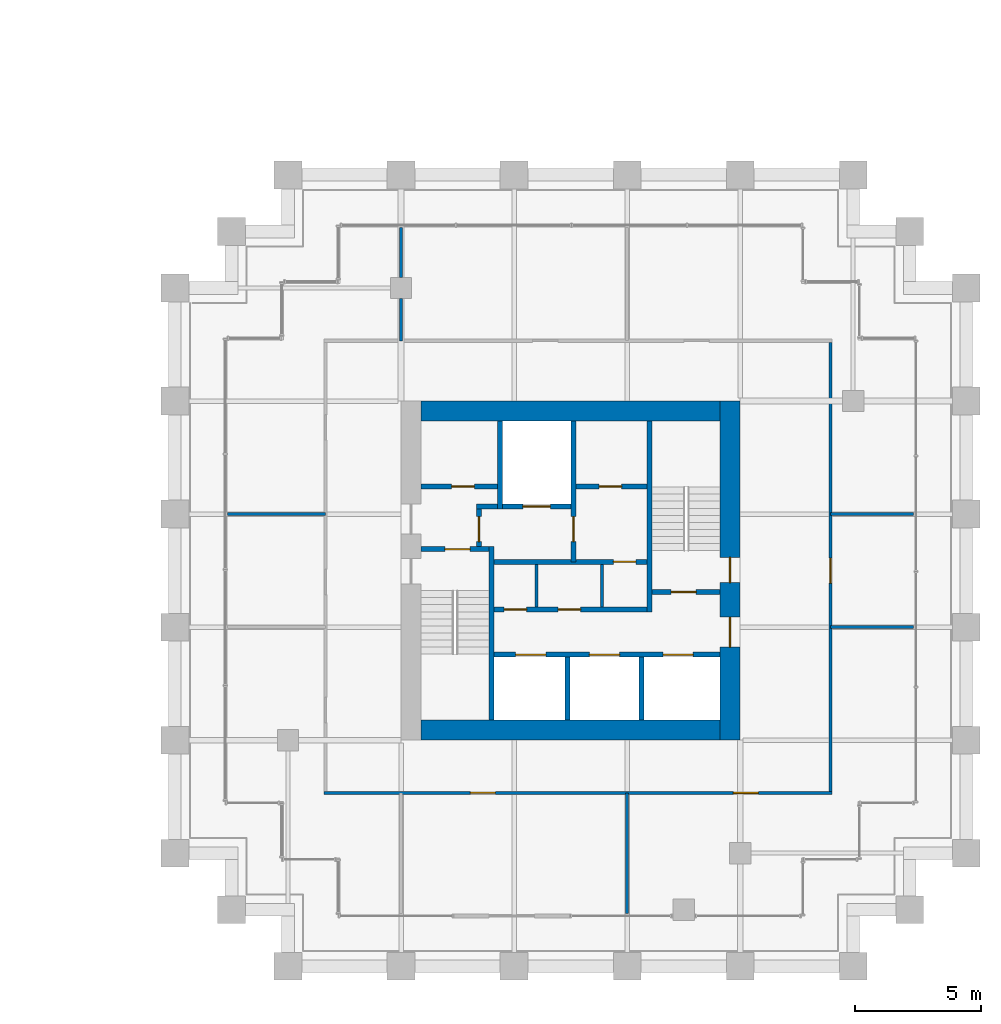
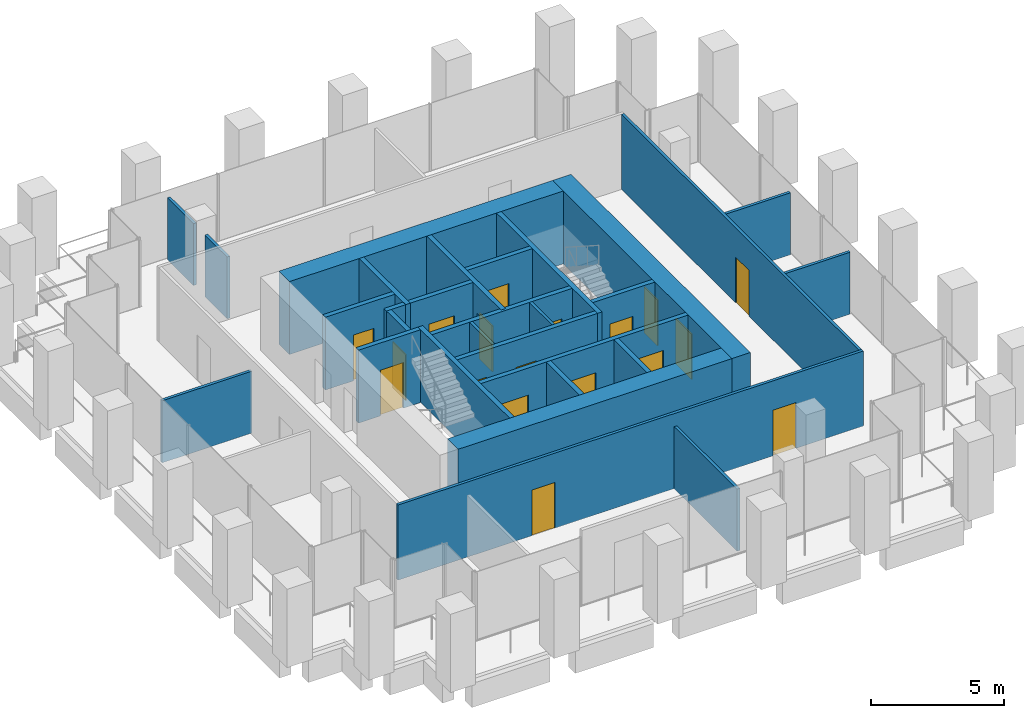
# One storey, part 53 of 56: 29 walls, 18 doors, 18 openings.
"""IFC4 building model written with IfcOpenShell, lengths in metres."""

from ifc_helpers import new_model, si_unit, direction, frame, frame_2d, origin, place, context, subcontext, project, spatial, rectangle, extrude, material, layer, layer_set, type_object, element, fill, save


model = new_model("IFC4")

# Units and contexts
model_context = context("Model", 3, precision=1e-05, world=origin(), true_north=direction((0.0, 1.0)))
body_context = subcontext(model_context, "Body", "Model", "MODEL_VIEW")
ifc_project = project(units=[si_unit("LENGTHUNIT", "METRE"), si_unit("AREAUNIT", "SQUARE_METRE"), si_unit("VOLUMEUNIT", "CUBIC_METRE"), si_unit("PLANEANGLEUNIT", "RADIAN"), si_unit("MASSUNIT", "GRAM", prefix="KILO")], contexts=[model_context])

# Site, building, storey
site_placement = place(None, origin())
site = spatial("IfcSite", under=ifc_project, at=site_placement, CompositionType="ELEMENT")
building_placement = place(site_placement, origin())
building = spatial("IfcBuilding", under=site, at=building_placement, Name="Altepetl Exchange Towers", CompositionType="ELEMENT")
storey_placement = place(building_placement, frame((0.0, 0.0, 72.60009765625)))
storey = spatial("IfcBuildingStorey", under=building, at=storey_placement, Name="L17", CompositionType="ELEMENT", Elevation=72.60009765625)

# Wall, openings, doors
ifc_material_1 = material(Name="Concrete C70/85", Category="concrete")
ifc_layer_1 = layer(ifc_material_1, 0.800048828125)
ifc_layer_set_1 = layer_set([ifc_layer_1], Name="Concrete C70/85")
wall_type_1 = type_object("IfcWallType", Name="Core wall 800 reinforced concrete", PredefinedType="SHEAR", material=ifc_layer_set_1)
wall_1_placement = place(storey_placement, frame((116.60009765625, 36.0, 0.0), z_axis=(0.0, 0.0, 1.0), x_axis=(0.0, 1.0, 0.0)))
wall_1 = element("IfcWall", 1, at=wall_1_placement, inside=storey, type_object=wall_type_1, Name="wall:B:L17:K-coreE", PredefinedType="SHEAR", context=body_context, shape_type="SweptSolid", body=[
    extrude(rectangle(XDim=13.5, YDim=0.800048828125, at=frame_2d((6.75, 0.0))), origin(), (0.0, 0.0, 1.0), 3.349853515625),
])
opening_1_placement = place(wall_1_placement, frame((3.699951171875, 0.0, 0.0)))
opening_1 = element("IfcOpeningElement", 2, at=opening_1_placement, cuts=wall_1, Name="Opening L17.B61", PredefinedType="OPENING", context=body_context, shape_type="SweptSolid", body=[
    extrude(rectangle(XDim=1.199951171875, YDim=2.10009765625, at=frame_2d((0.60009765625, 1.050048828125))), frame((0.0, 0.41015625, 0.0), z_axis=(0.0, -1.0, 0.0), x_axis=(1.0, 0.0, 0.0)), (0.0, 0.0, 1.0), 0.820068359375),
])
opening_2_placement = place(wall_1_placement, frame((6.27490234375, 0.0, 0.0)))
opening_2 = element("IfcOpeningElement", 3, at=opening_2_placement, cuts=wall_1, Name="Opening L17.B65", PredefinedType="OPENING", context=body_context, shape_type="SweptSolid", body=[
    extrude(rectangle(XDim=1.0, YDim=2.10009765625, at=frame_2d((0.5, 1.050048828125))), frame((0.0, 0.41015625, 0.0), z_axis=(0.0, -1.0, 0.0), x_axis=(1.0, 0.0, 0.0)), (0.0, 0.0, 1.0), 0.820068359375),
])
ifc_material_2 = material(Name="Steel and timber fire door", Category="steel")
door_type_1 = type_object("IfcDoorType", Name="Fire door 1000 x 2100 stair and lobby", OperationType="SINGLE_SWING_LEFT", PredefinedType="DOOR", material=ifc_material_2)
door_1_placement = place(opening_2_placement, origin())
door_1 = element("IfcDoor", 4, at=door_1_placement, inside=storey, type_object=door_type_1, Name="door:B:L17:K-dS2x", OperationType="SINGLE_SWING_LEFT", OverallHeight=2.10009765625, OverallWidth=1.0, PredefinedType="DOOR", context=body_context, shape_type="SweptSolid", body=[
    extrude(rectangle(XDim=1.0, YDim=2.10009765625, at=frame_2d((0.5, 1.050048828125))), frame((0.0, 0.02490234375, 0.0), z_axis=(0.0, -1.0, 0.0), x_axis=(1.0, 0.0, 0.0)), (0.0, 0.0, 1.0), 0.050048828125),
])
fill(opening_2, door_1)
door_type_2 = type_object("IfcDoorType", Name="Fire door 1200 x 2100 lobby entry", OperationType="SINGLE_SWING_LEFT", PredefinedType="DOOR", material=ifc_material_2)
door_2_placement = place(opening_1_placement, origin())
door_2 = element("IfcDoor", 5, at=door_2_placement, inside=storey, type_object=door_type_2, Name="door:B:L17:K-dLSE", OperationType="SINGLE_SWING_RIGHT", OverallHeight=2.10009765625, OverallWidth=1.199951171875, PredefinedType="DOOR", context=body_context, shape_type="SweptSolid", body=[
    extrude(rectangle(XDim=1.199951171875, YDim=2.10009765625, at=frame_2d((0.60009765625, 1.050048828125))), frame((0.0, 0.02490234375, 0.0), z_axis=(0.0, -1.0, 0.0), x_axis=(1.0, 0.0, 0.0)), (0.0, 0.0, 1.0), 0.050048828125),
])
fill(opening_1, door_2)

# Walls
for number, where, name in (
    (6, (104.300048828125, 49.10009765625, 0.0), "wall:B:L17:K-coreN"),
    (7, (104.300048828125, 36.39990234375, 0.0), "wall:B:L17:K-coreS"),
):
    element("IfcWall", number, at=place(storey_placement, frame(where)), inside=storey, type_object=wall_type_1, Name=name, PredefinedType="SHEAR", context=body_context, shape_type="SweptSolid", body=[
        extrude(rectangle(XDim=11.89990234375, YDim=0.800048828125, at=frame_2d((5.949951171875, 0.0))), origin(), (0.0, 0.0, 1.0), 3.349853515625),
    ])
ifc_material_3 = material(Name="Concrete blockwork", Category="masonry")
ifc_layer_2 = layer(ifc_material_3, 0.199951171875)
ifc_layer_set_2 = layer_set([ifc_layer_2], Name="Concrete blockwork")
wall_type_2 = type_object("IfcWallType", Name="Lobby wall 200 blockwork", PredefinedType="PARTITIONING", material=ifc_layer_set_2)
wall_2_placement = place(storey_placement, frame((106.5, 45.300048828125, 0.0)))
element("IfcWall", 8, at=wall_2_placement, inside=storey, type_object=wall_type_2, Name="wall:B:L17:K-ffNw", PredefinedType="PARTITIONING", context=body_context, shape_type="SweptSolid", body=[
    extrude(rectangle(XDim=0.833251953125, YDim=0.199951171875, at=frame_2d((0.41650390625, 0.0))), origin(), (0.0, 0.0, 1.0), 3.349853515625),
])

# Wall, opening, door
wall_3_placement = place(storey_placement, frame((106.60009765625, 43.699951171875, 0.0), z_axis=(0.0, 0.0, 1.0), x_axis=(0.0, 1.0, 0.0)))
wall_3 = element("IfcWall", 9, at=wall_3_placement, inside=storey, type_object=wall_type_2, Name="wall:B:L17:K-ffW", PredefinedType="PARTITIONING", context=body_context, shape_type="SweptSolid", body=[
    extrude(rectangle(XDim=1.5, YDim=0.199951171875, at=frame_2d((0.75, 0.0))), origin(), (0.0, 0.0, 1.0), 3.349853515625),
])
opening_3_placement = place(wall_3_placement, frame((0.199951171875, 0.0, 0.0)))
opening_3 = element("IfcOpeningElement", 10, at=opening_3_placement, cuts=wall_3, Name="Opening L17.B67", PredefinedType="OPENING", context=body_context, shape_type="SweptSolid", body=[
    extrude(rectangle(XDim=1.0, YDim=2.10009765625, at=frame_2d((0.5, 1.050048828125))), frame((0.0, 0.10986328125, 0.0), z_axis=(0.0, -1.0, 0.0), x_axis=(1.0, 0.0, 0.0)), (0.0, 0.0, 1.0), 0.219970703125),
])
door_3_placement = place(opening_3_placement, frame((1.0, 0.0, 0.0), x_axis=(-1.0, 0.0, 0.0)))
door_3 = element("IfcDoor", 11, at=door_3_placement, inside=storey, type_object=door_type_1, Name="door:B:L17:K-dffW", OperationType="SINGLE_SWING_LEFT", OverallHeight=2.10009765625, OverallWidth=1.0, PredefinedType="DOOR", context=body_context, shape_type="SweptSolid", body=[
    extrude(rectangle(XDim=1.0, YDim=2.10009765625, at=frame_2d((0.5, 1.050048828125))), frame((0.0, 0.02490234375, 0.0), z_axis=(0.0, -1.0, 0.0), x_axis=(1.0, 0.0, 0.0)), (0.0, 0.0, 1.0), 0.050048828125),
])
fill(opening_3, door_3)

wall_4_placement = place(storey_placement, frame((107.199951171875, 43.10009765625, 0.0)))
wall_4 = element("IfcWall", 12, at=wall_4_placement, inside=storey, type_object=wall_type_2, Name="wall:B:L17:K-zoneN", PredefinedType="PARTITIONING", context=body_context, shape_type="SweptSolid", body=[
    extrude(rectangle(XDim=6.10009765625, YDim=0.199951171875, at=frame_2d((3.050048828125, 0.0))), origin(), (0.0, 0.0, 1.0), 3.349853515625),
])
opening_4_placement = place(wall_4_placement, frame((4.75, 0.0, 0.0)))
opening_4 = element("IfcOpeningElement", 13, at=opening_4_placement, cuts=wall_4, Name="Opening L17.B72", PredefinedType="OPENING", context=body_context, shape_type="SweptSolid", body=[
    extrude(rectangle(XDim=0.89990234375, YDim=2.10009765625, at=frame_2d((0.449951171875, 1.050048828125))), frame((0.0, 0.10986328125, 0.0), z_axis=(0.0, -1.0, 0.0), x_axis=(1.0, 0.0, 0.0)), (0.0, 0.0, 1.0), 0.219970703125),
])
door_type_3 = type_object("IfcDoorType", Name="Fire door 900 x 2100 service room", OperationType="SINGLE_SWING_LEFT", PredefinedType="DOOR", material=ifc_material_2)
door_4_placement = place(opening_4_placement, frame((0.89990234375, 0.0, 0.0), x_axis=(-1.0, 0.0, 0.0)))
door_4 = element("IfcDoor", 14, at=door_4_placement, inside=storey, type_object=door_type_3, Name="door:B:L17:K-dz3", OperationType="SINGLE_SWING_RIGHT", OverallHeight=2.10009765625, OverallWidth=0.89990234375, PredefinedType="DOOR", context=body_context, shape_type="SweptSolid", body=[
    extrude(rectangle(XDim=0.89990234375, YDim=2.10009765625, at=frame_2d((0.449951171875, 1.050048828125))), frame((0.0, 0.02490234375, 0.0), z_axis=(0.0, -1.0, 0.0), x_axis=(1.0, 0.0, 0.0)), (0.0, 0.0, 1.0), 0.050048828125),
])
fill(opening_4, door_4)

# Wall, openings, doors
wall_5_placement = place(storey_placement, frame((107.199951171875, 41.199951171875, 0.0)))
wall_5 = element("IfcWall", 15, at=wall_5_placement, inside=storey, type_object=wall_type_2, Name="wall:B:L17:K-zoneS", PredefinedType="PARTITIONING", context=body_context, shape_type="SweptSolid", body=[
    extrude(rectangle(XDim=6.10009765625, YDim=0.199951171875, at=frame_2d((3.050048828125, 0.0))), origin(), (0.0, 0.0, 1.0), 3.349853515625),
])
opening_5_placement = place(wall_5_placement, frame((0.39990234375, 0.0, 0.0)))
opening_5 = element("IfcOpeningElement", 16, at=opening_5_placement, cuts=wall_5, Name="Opening L17.B70", PredefinedType="OPENING", context=body_context, shape_type="SweptSolid", body=[
    extrude(rectangle(XDim=0.89990234375, YDim=2.10009765625, at=frame_2d((0.449951171875, 1.050048828125))), frame((0.0, 0.10986328125, 0.0), z_axis=(0.0, -1.0, 0.0), x_axis=(1.0, 0.0, 0.0)), (0.0, 0.0, 1.0), 0.219970703125),
])
opening_6_placement = place(wall_5_placement, frame((2.550048828125, 0.0, 0.0)))
opening_6 = element("IfcOpeningElement", 17, at=opening_6_placement, cuts=wall_5, Name="Opening L17.B71", PredefinedType="OPENING", context=body_context, shape_type="SweptSolid", body=[
    extrude(rectangle(XDim=0.89990234375, YDim=2.10009765625, at=frame_2d((0.449951171875, 1.050048828125))), frame((0.0, 0.10986328125, 0.0), z_axis=(0.0, -1.0, 0.0), x_axis=(1.0, 0.0, 0.0)), (0.0, 0.0, 1.0), 0.219970703125),
])
door_5_placement = place(opening_5_placement, origin())
door_5 = element("IfcDoor", 18, at=door_5_placement, inside=storey, type_object=door_type_3, Name="door:B:L17:K-dz1", OperationType="SINGLE_SWING_RIGHT", OverallHeight=2.10009765625, OverallWidth=0.89990234375, PredefinedType="DOOR", context=body_context, shape_type="SweptSolid", body=[
    extrude(rectangle(XDim=0.89990234375, YDim=2.10009765625, at=frame_2d((0.449951171875, 1.050048828125))), frame((0.0, 0.02490234375, 0.0), z_axis=(0.0, -1.0, 0.0), x_axis=(1.0, 0.0, 0.0)), (0.0, 0.0, 1.0), 0.050048828125),
])
fill(opening_5, door_5)
door_6_placement = place(opening_6_placement, origin())
door_6 = element("IfcDoor", 19, at=door_6_placement, inside=storey, type_object=door_type_3, Name="door:B:L17:K-dz2", OperationType="SINGLE_SWING_LEFT", OverallHeight=2.10009765625, OverallWidth=0.89990234375, PredefinedType="DOOR", context=body_context, shape_type="SweptSolid", body=[
    extrude(rectangle(XDim=0.89990234375, YDim=2.10009765625, at=frame_2d((0.449951171875, 1.050048828125))), frame((0.0, 0.02490234375, 0.0), z_axis=(0.0, -1.0, 0.0), x_axis=(1.0, 0.0, 0.0)), (0.0, 0.0, 1.0), 0.050048828125),
])
fill(opening_6, door_6)

# Walls
ifc_material_4 = material(Name="Gypsum board on steel studs", Category="steel")
ifc_layer_3 = layer(ifc_material_4, 0.125)
ifc_layer_set_3 = layer_set([ifc_layer_3], Name="Gypsum board on steel studs")
wall_type_3 = type_object("IfcWallType", Name="Partition 125 gypsum board on steel studs", PredefinedType="PARTITIONING", material=ifc_layer_set_3)
for number, where, z_axis, x_axis, name in (
    (20, (108.89990234375, 41.300048828125, 0.0), (0.0, 0.0, 1.0), (0.0, 1.0, 0.0), "wall:B:L17:K-zp1"),
    (21, (111.5, 41.300048828125, 0.0), (0.0, 0.0, 1.0), (0.0, 1.0, 0.0), "wall:B:L17:K-zp2"),
):
    element("IfcWall", number, at=place(storey_placement, frame(where, z_axis=z_axis, x_axis=x_axis)), inside=storey, type_object=wall_type_3, Name=name, PredefinedType="PARTITIONING", context=body_context, shape_type="SweptSolid", body=[
        extrude(rectangle(XDim=1.699951171875, YDim=0.125, at=frame_2d((0.85009765625, 0.0))), origin(), (0.0, 0.0, 1.0), 3.349853515625),
    ])

# Wall, openings, doors
wall_6_placement = place(storey_placement, frame((100.4375, 33.89990234375, 0.0)))
wall_6 = element("IfcWall", 22, at=wall_6_placement, inside=storey, type_object=wall_type_3, Name="wall:B:L17:P01", PredefinedType="PARTITIONING", context=body_context, shape_type="SweptSolid", body=[
    extrude(rectangle(XDim=20.22509765625, YDim=0.125, at=frame_2d((10.112548828125, 0.0))), origin(), (0.0, 0.0, 1.0), 3.449951171875),
])
opening_7_placement = place(wall_6_placement, frame((5.819580078125, 0.0, 0.0)))
opening_7 = element("IfcOpeningElement", 23, at=opening_7_placement, cuts=wall_6, Name="Opening L17.B02", PredefinedType="OPENING", context=body_context, shape_type="SweptSolid", body=[
    extrude(rectangle(XDim=1.0, YDim=2.10009765625, at=frame_2d((0.5, 1.050048828125))), frame((0.0, 0.072509765625, 0.0), z_axis=(0.0, -1.0, 0.0), x_axis=(1.0, 0.0, 0.0)), (0.0, 0.0, 1.0), 0.14501953125),
])
opening_8_placement = place(wall_6_placement, frame((16.29248046875, 0.0, 0.0)))
opening_8 = element("IfcOpeningElement", 24, at=opening_8_placement, cuts=wall_6, Name="Opening L17.B03", PredefinedType="OPENING", context=body_context, shape_type="SweptSolid", body=[
    extrude(rectangle(XDim=1.0, YDim=2.10009765625, at=frame_2d((0.5, 1.050048828125))), frame((0.0, 0.072509765625, 0.0), z_axis=(0.0, -1.0, 0.0), x_axis=(1.0, 0.0, 0.0)), (0.0, 0.0, 1.0), 0.14501953125),
])
door_type_4 = type_object("IfcDoorType", Name="Fire door 1000 x 2100 single leaf", OperationType="SINGLE_SWING_LEFT", PredefinedType="DOOR", material=ifc_material_2)
door_7_placement = place(opening_7_placement, frame((1.0, 0.0, 0.0), x_axis=(-1.0, 0.0, 0.0)))
door_7 = element("IfcDoor", 25, at=door_7_placement, inside=storey, type_object=door_type_4, Name="door:B:L17:02", OperationType="SINGLE_SWING_RIGHT", OverallHeight=2.10009765625, OverallWidth=1.0, PredefinedType="DOOR", context=body_context, shape_type="SweptSolid", body=[
    extrude(rectangle(XDim=1.0, YDim=2.10009765625, at=frame_2d((0.5, 1.050048828125))), frame((0.0, 0.02490234375, 0.0), z_axis=(0.0, -1.0, 0.0), x_axis=(1.0, 0.0, 0.0)), (0.0, 0.0, 1.0), 0.050048828125),
])
fill(opening_7, door_7)
door_8_placement = place(opening_8_placement, origin())
door_8 = element("IfcDoor", 26, at=door_8_placement, inside=storey, type_object=door_type_4, Name="door:B:L17:03", OperationType="SINGLE_SWING_RIGHT", OverallHeight=2.10009765625, OverallWidth=1.0, PredefinedType="DOOR", context=body_context, shape_type="SweptSolid", body=[
    extrude(rectangle(XDim=1.0, YDim=2.10009765625, at=frame_2d((0.5, 1.050048828125))), frame((0.0, 0.02490234375, 0.0), z_axis=(0.0, -1.0, 0.0), x_axis=(1.0, 0.0, 0.0)), (0.0, 0.0, 1.0), 0.050048828125),
])
fill(opening_8, door_8)

# Walls
wall_7_placement = place(storey_placement, frame((120.60009765625, 40.5, 0.0)))
element("IfcWall", 27, at=wall_7_placement, inside=storey, type_object=wall_type_3, Name="wall:B:L17:P03", PredefinedType="PARTITIONING", context=body_context, shape_type="SweptSolid", body=[
    extrude(rectangle(XDim=3.2998046875, YDim=0.125, at=frame_2d((1.64990234375, 0.0))), origin(), (0.0, 0.0, 1.0), 2.850830078125),
])
wall_8_placement = place(storey_placement, frame((96.60009765625, 45.0, 0.0)))
element("IfcWall", 28, at=wall_8_placement, inside=storey, type_object=wall_type_3, Name="wall:B:L17:P04", PredefinedType="PARTITIONING", context=body_context, shape_type="SweptSolid", body=[
    extrude(rectangle(XDim=3.89990234375, YDim=0.125, at=frame_2d((1.949951171875, 0.0))), origin(), (0.0, 0.0, 1.0), 2.850830078125),
])
wall_9_placement = place(storey_placement, frame((120.60009765625, 45.0, 0.0)))
element("IfcWall", 29, at=wall_9_placement, inside=storey, type_object=wall_type_3, Name="wall:B:L17:P05", PredefinedType="PARTITIONING", context=body_context, shape_type="SweptSolid", body=[
    extrude(rectangle(XDim=3.2998046875, YDim=0.125, at=frame_2d((1.64990234375, 0.0))), origin(), (0.0, 0.0, 1.0), 2.850830078125),
])
wall_10_placement = place(storey_placement, frame((103.5, 51.89990234375, 0.0), z_axis=(0.0, 0.0, 1.0), x_axis=(0.0, 1.0, 0.0)))
element("IfcWall", 30, at=wall_10_placement, inside=storey, type_object=wall_type_3, Name="wall:B:L17:P09", PredefinedType="PARTITIONING", context=body_context, shape_type="SweptSolid", body=[
    extrude(rectangle(XDim=1.675048828125, YDim=0.125, at=frame_2d((0.83740234375, 0.0))), origin(), (0.0, 0.0, 1.0), 2.841796875),
])
wall_11_placement = place(storey_placement, frame((103.5, 54.425048828125, 0.0), z_axis=(0.0, 0.0, 1.0), x_axis=(0.0, 1.0, 0.0)))
element("IfcWall", 31, at=wall_11_placement, inside=storey, type_object=wall_type_3, Name="wall:B:L17:P10", PredefinedType="PARTITIONING", context=body_context, shape_type="SweptSolid", body=[
    extrude(rectangle(XDim=1.974853515625, YDim=0.125, at=frame_2d((0.9873046875, 0.0))), origin(), (0.0, 0.0, 1.0), 2.841796875),
])
wall_12_placement = place(storey_placement, frame((112.5, 29.10009765625, 0.0), z_axis=(0.0, 0.0, 1.0), x_axis=(0.0, 1.0, 0.0)))
element("IfcWall", 32, at=wall_12_placement, inside=storey, type_object=wall_type_3, Name="wall:B:L17:P11", PredefinedType="PARTITIONING", context=body_context, shape_type="SweptSolid", body=[
    extrude(rectangle(XDim=4.7998046875, YDim=0.125, at=frame_2d((2.39990234375, 0.0))), origin(), (0.0, 0.0, 1.0), 2.850830078125),
])

# Wall, opening, door
wall_13_placement = place(storey_placement, frame((120.60009765625, 33.96240234375, 0.0), z_axis=(0.0, 0.0, 1.0), x_axis=(0.0, 1.0, 0.0)))
wall_13 = element("IfcWall", 33, at=wall_13_placement, inside=storey, type_object=wall_type_3, Name="wall:B:L17:P13", PredefinedType="PARTITIONING", context=body_context, shape_type="SweptSolid", body=[
    extrude(rectangle(XDim=17.875, YDim=0.125, at=frame_2d((8.9375, 0.0))), origin(), (0.0, 0.0, 1.0), 3.449951171875),
])
opening_9_placement = place(wall_13_placement, frame((8.28759765625, 0.0, 0.0)))
opening_9 = element("IfcOpeningElement", 34, at=opening_9_placement, cuts=wall_13, Name="Opening L17.B04", PredefinedType="OPENING", context=body_context, shape_type="SweptSolid", body=[
    extrude(rectangle(XDim=1.0, YDim=2.10009765625, at=frame_2d((0.5, 1.050048828125))), frame((0.0, 0.072509765625, 0.0), z_axis=(0.0, -1.0, 0.0), x_axis=(1.0, 0.0, 0.0)), (0.0, 0.0, 1.0), 0.14501953125),
])
door_9_placement = place(opening_9_placement, frame((1.0, 0.0, 0.0), x_axis=(-1.0, 0.0, 0.0)))
door_9 = element("IfcDoor", 35, at=door_9_placement, inside=storey, type_object=door_type_4, Name="door:B:L17:04", OperationType="SINGLE_SWING_RIGHT", OverallHeight=2.10009765625, OverallWidth=1.0, PredefinedType="DOOR", context=body_context, shape_type="SweptSolid", body=[
    extrude(rectangle(XDim=1.0, YDim=2.10009765625, at=frame_2d((0.5, 1.050048828125))), frame((0.0, 0.02490234375, 0.0), z_axis=(0.0, -1.0, 0.0), x_axis=(1.0, 0.0, 0.0)), (0.0, 0.0, 1.0), 0.050048828125),
])
fill(opening_9, door_9)

# Wall
ifc_material_5 = material(Name="Concrete C40/50", Category="concrete")
ifc_layer_4 = layer(ifc_material_5, 0.199951171875)
ifc_layer_set_4 = layer_set([ifc_layer_4], Name="Concrete C40/50")
wall_type_4 = type_object("IfcWallType", Name="Shaft wall 200 reinforced concrete", PredefinedType="SHEAR", material=ifc_layer_set_4)
wall_14_placement = place(storey_placement, frame((107.433349609375, 48.699951171875, 0.0), z_axis=(0.0, 0.0, 1.0), x_axis=(0.0, -1.0, 0.0)))
element("IfcWall", 36, at=wall_14_placement, inside=storey, type_object=wall_type_4, Name="wall:B:L17:K-divN1", PredefinedType="SHEAR", context=body_context, shape_type="SweptSolid", body=[
    extrude(rectangle(XDim=3.5, YDim=0.199951171875, at=frame_2d((1.75, 0.0))), origin(), (0.0, 0.0, 1.0), 3.349853515625),
])

# Wall, opening, door
wall_15_placement = place(storey_placement, frame((110.36669921875, 48.699951171875, 0.0), z_axis=(0.0, 0.0, 1.0), x_axis=(0.0, -1.0, 0.0)))
wall_15 = element("IfcWall", 37, at=wall_15_placement, inside=storey, type_object=wall_type_4, Name="wall:B:L17:K-divN2", PredefinedType="SHEAR", context=body_context, shape_type="SweptSolid", body=[
    extrude(rectangle(XDim=5.599853515625, YDim=0.199951171875, at=frame_2d((2.7998046875, 0.0))), origin(), (0.0, 0.0, 1.0), 3.349853515625),
])
opening_10_placement = place(wall_15_placement, frame((3.800048828125, 0.0, 0.0)))
opening_10 = element("IfcOpeningElement", 38, at=opening_10_placement, cuts=wall_15, Name="Opening L17.B66", PredefinedType="OPENING", context=body_context, shape_type="SweptSolid", body=[
    extrude(rectangle(XDim=1.0, YDim=2.10009765625, at=frame_2d((0.5, 1.050048828125))), frame((0.0, 0.10986328125, 0.0), z_axis=(0.0, -1.0, 0.0), x_axis=(1.0, 0.0, 0.0)), (0.0, 0.0, 1.0), 0.219970703125),
])
door_10_placement = place(opening_10_placement, frame((1.0, 0.0, 0.0), x_axis=(-1.0, 0.0, 0.0)))
door_10 = element("IfcDoor", 39, at=door_10_placement, inside=storey, type_object=door_type_1, Name="door:B:L17:K-dffE", OperationType="SINGLE_SWING_RIGHT", OverallHeight=2.10009765625, OverallWidth=1.0, PredefinedType="DOOR", context=body_context, shape_type="SweptSolid", body=[
    extrude(rectangle(XDim=1.0, YDim=2.10009765625, at=frame_2d((0.5, 1.050048828125))), frame((0.0, 0.02490234375, 0.0), z_axis=(0.0, -1.0, 0.0), x_axis=(1.0, 0.0, 0.0)), (0.0, 0.0, 1.0), 0.050048828125),
])
fill(opening_10, door_10)

# Walls
for number, where, z_axis, x_axis, name in (
    (40, (110.13330078125, 36.800048828125, 0.0), (0.0, 0.0, 1.0), (0.0, 1.0, 0.0), "wall:B:L17:K-divS1"),
    (41, (113.066650390625, 36.800048828125, 0.0), (0.0, 0.0, 1.0), (0.0, 1.0, 0.0), "wall:B:L17:K-divS2"),
):
    element("IfcWall", number, at=place(storey_placement, frame(where, z_axis=z_axis, x_axis=x_axis)), inside=storey, type_object=wall_type_4, Name=name, PredefinedType="SHEAR", context=body_context, shape_type="SweptSolid", body=[
        extrude(rectangle(XDim=2.5, YDim=0.199951171875, at=frame_2d((1.25, 0.0))), origin(), (0.0, 0.0, 1.0), 3.349853515625),
    ])

# Wall, opening, door
wall_16_placement = place(storey_placement, frame((104.300048828125, 46.10009765625, 0.0)))
wall_16 = element("IfcWall", 42, at=wall_16_placement, inside=storey, type_object=wall_type_4, Name="wall:B:L17:K-frontNa", PredefinedType="SHEAR", context=body_context, shape_type="SweptSolid", body=[
    extrude(rectangle(XDim=3.033203125, YDim=0.199951171875, at=frame_2d((1.5166015625, 0.0))), origin(), (0.0, 0.0, 1.0), 3.349853515625),
])
opening_11_placement = place(wall_16_placement, frame((1.216796875, 0.0, 0.0)))
opening_11 = element("IfcOpeningElement", 43, at=opening_11_placement, cuts=wall_16, Name="Opening L17.B68", PredefinedType="OPENING", context=body_context, shape_type="SweptSolid", body=[
    extrude(rectangle(XDim=0.89990234375, YDim=2.10009765625, at=frame_2d((0.449951171875, 1.050048828125))), frame((0.0, 0.10986328125, 0.0), z_axis=(0.0, -1.0, 0.0), x_axis=(1.0, 0.0, 0.0)), (0.0, 0.0, 1.0), 0.219970703125),
])
door_11_placement = place(opening_11_placement, origin())
door_11 = element("IfcDoor", 44, at=door_11_placement, inside=storey, type_object=door_type_3, Name="door:B:L17:K-dslotN0", OperationType="SINGLE_SWING_RIGHT", OverallHeight=2.10009765625, OverallWidth=0.89990234375, PredefinedType="DOOR", context=body_context, shape_type="SweptSolid", body=[
    extrude(rectangle(XDim=0.89990234375, YDim=2.10009765625, at=frame_2d((0.449951171875, 1.050048828125))), frame((0.0, 0.02490234375, 0.0), z_axis=(0.0, -1.0, 0.0), x_axis=(1.0, 0.0, 0.0)), (0.0, 0.0, 1.0), 0.050048828125),
])
fill(opening_11, door_11)

wall_17_placement = place(storey_placement, frame((110.466796875, 46.10009765625, 0.0)))
wall_17 = element("IfcWall", 45, at=wall_17_placement, inside=storey, type_object=wall_type_4, Name="wall:B:L17:K-frontNb", PredefinedType="SHEAR", context=body_context, shape_type="SweptSolid", body=[
    extrude(rectangle(XDim=2.833251953125, YDim=0.199951171875, at=frame_2d((1.41650390625, 0.0))), origin(), (0.0, 0.0, 1.0), 3.349853515625),
])
opening_12_placement = place(wall_17_placement, frame((0.91650390625, 0.0, 0.0)))
opening_12 = element("IfcOpeningElement", 46, at=opening_12_placement, cuts=wall_17, Name="Opening L17.B69", PredefinedType="OPENING", context=body_context, shape_type="SweptSolid", body=[
    extrude(rectangle(XDim=0.89990234375, YDim=2.10009765625, at=frame_2d((0.449951171875, 1.050048828125))), frame((0.0, 0.10986328125, 0.0), z_axis=(0.0, -1.0, 0.0), x_axis=(1.0, 0.0, 0.0)), (0.0, 0.0, 1.0), 0.219970703125),
])
door_12_placement = place(opening_12_placement, origin())
door_12 = element("IfcDoor", 47, at=door_12_placement, inside=storey, type_object=door_type_3, Name="door:B:L17:K-dslotN2", OperationType="SINGLE_SWING_RIGHT", OverallHeight=2.10009765625, OverallWidth=0.89990234375, PredefinedType="DOOR", context=body_context, shape_type="SweptSolid", body=[
    extrude(rectangle(XDim=0.89990234375, YDim=2.10009765625, at=frame_2d((0.449951171875, 1.050048828125))), frame((0.0, 0.02490234375, 0.0), z_axis=(0.0, -1.0, 0.0), x_axis=(1.0, 0.0, 0.0)), (0.0, 0.0, 1.0), 0.050048828125),
])
fill(opening_12, door_12)

wall_18_placement = place(storey_placement, frame((107.533203125, 45.300048828125, 0.0)))
wall_18 = element("IfcWall", 48, at=wall_18_placement, inside=storey, type_object=wall_type_4, Name="wall:B:L17:K-frontNd", PredefinedType="SHEAR", context=body_context, shape_type="SweptSolid", body=[
    extrude(rectangle(XDim=2.7333984375, YDim=0.199951171875, at=frame_2d((1.36669921875, 0.0))), origin(), (0.0, 0.0, 1.0), 3.349853515625),
])
opening_13_placement = place(wall_18_placement, frame((0.816650390625, 0.0, 0.0)))
opening_13 = element("IfcOpeningElement", 49, at=opening_13_placement, cuts=wall_18, Name="Opening L17.B73", PredefinedType="OPENING", context=body_context, shape_type="SweptSolid", body=[
    extrude(rectangle(XDim=1.10009765625, YDim=2.10009765625, at=frame_2d((0.550048828125, 1.050048828125))), frame((0.0, 0.10986328125, 0.0), z_axis=(0.0, -1.0, 0.0), x_axis=(1.0, 0.0, 0.0)), (0.0, 0.0, 1.0), 0.219970703125),
])
ifc_material_6 = material(Name="Stainless steel", Category="steel")
door_type_5 = type_object("IfcDoorType", Name="Lift landing door 1100 x 2100", OperationType="SLIDING_TO_LEFT", PredefinedType="DOOR", material=ifc_material_6)
door_13_placement = place(opening_13_placement, origin())
door_13 = element("IfcDoor", 50, at=door_13_placement, inside=storey, type_object=door_type_5, Name="Landing door FFL1", OperationType="SLIDING_TO_LEFT", OverallHeight=2.10009765625, OverallWidth=1.10009765625, PredefinedType="DOOR", context=body_context, shape_type="SweptSolid", body=[
    extrude(rectangle(XDim=1.10009765625, YDim=2.10009765625, at=frame_2d((0.550048828125, 1.050048828125))), frame((0.0, 0.02490234375, 0.0), z_axis=(0.0, -1.0, 0.0), x_axis=(1.0, 0.0, 0.0)), (0.0, 0.0, 1.0), 0.050048828125),
])
fill(opening_13, door_13)

# Wall, openings, doors
wall_19_placement = place(storey_placement, frame((107.199951171875, 39.39990234375, 0.0)))
wall_19 = element("IfcWall", 51, at=wall_19_placement, inside=storey, type_object=wall_type_4, Name="wall:B:L17:K-frontS", PredefinedType="SHEAR", context=body_context, shape_type="SweptSolid", body=[
    extrude(rectangle(XDim=9.0, YDim=0.199951171875, at=frame_2d((4.5, 0.0))), origin(), (0.0, 0.0, 1.0), 3.349853515625),
])
opening_14_placement = place(wall_19_placement, frame((0.86669921875, 0.0, 0.0)))
opening_14 = element("IfcOpeningElement", 52, at=opening_14_placement, cuts=wall_19, Name="Opening L17.B74", PredefinedType="OPENING", context=body_context, shape_type="SweptSolid", body=[
    extrude(rectangle(XDim=1.199951171875, YDim=2.10009765625, at=frame_2d((0.60009765625, 1.050048828125))), frame((0.0, 0.10986328125, 0.0), z_axis=(0.0, -1.0, 0.0), x_axis=(1.0, 0.0, 0.0)), (0.0, 0.0, 1.0), 0.219970703125),
])
opening_15_placement = place(wall_19_placement, frame((3.800048828125, 0.0, 0.0)))
opening_15 = element("IfcOpeningElement", 53, at=opening_15_placement, cuts=wall_19, Name="Opening L17.B75", PredefinedType="OPENING", context=body_context, shape_type="SweptSolid", body=[
    extrude(rectangle(XDim=1.199951171875, YDim=2.10009765625, at=frame_2d((0.60009765625, 1.050048828125))), frame((0.0, 0.10986328125, 0.0), z_axis=(0.0, -1.0, 0.0), x_axis=(1.0, 0.0, 0.0)), (0.0, 0.0, 1.0), 0.219970703125),
])
opening_16_placement = place(wall_19_placement, frame((6.7333984375, 0.0, 0.0)))
opening_16 = element("IfcOpeningElement", 54, at=opening_16_placement, cuts=wall_19, Name="Opening L17.B76", PredefinedType="OPENING", context=body_context, shape_type="SweptSolid", body=[
    extrude(rectangle(XDim=1.199951171875, YDim=2.10009765625, at=frame_2d((0.60009765625, 1.050048828125))), frame((0.0, 0.10986328125, 0.0), z_axis=(0.0, -1.0, 0.0), x_axis=(1.0, 0.0, 0.0)), (0.0, 0.0, 1.0), 0.219970703125),
])
door_type_6 = type_object("IfcDoorType", Name="Lift landing door 1200 x 2100", OperationType="SLIDING_TO_LEFT", PredefinedType="DOOR", material=ifc_material_6)
door_14_placement = place(opening_14_placement, origin())
door_14 = element("IfcDoor", 55, at=door_14_placement, inside=storey, type_object=door_type_6, Name="Landing door P1", OperationType="SLIDING_TO_LEFT", OverallHeight=2.10009765625, OverallWidth=1.199951171875, PredefinedType="DOOR", context=body_context, shape_type="SweptSolid", body=[
    extrude(rectangle(XDim=1.199951171875, YDim=2.10009765625, at=frame_2d((0.60009765625, 1.050048828125))), frame((0.0, 0.02490234375, 0.0), z_axis=(0.0, -1.0, 0.0), x_axis=(1.0, 0.0, 0.0)), (0.0, 0.0, 1.0), 0.050048828125),
])
fill(opening_14, door_14)
door_15_placement = place(opening_15_placement, origin())
door_15 = element("IfcDoor", 56, at=door_15_placement, inside=storey, type_object=door_type_6, Name="Landing door P2", OperationType="SLIDING_TO_LEFT", OverallHeight=2.10009765625, OverallWidth=1.199951171875, PredefinedType="DOOR", context=body_context, shape_type="SweptSolid", body=[
    extrude(rectangle(XDim=1.199951171875, YDim=2.10009765625, at=frame_2d((0.60009765625, 1.050048828125))), frame((0.0, 0.02490234375, 0.0), z_axis=(0.0, -1.0, 0.0), x_axis=(1.0, 0.0, 0.0)), (0.0, 0.0, 1.0), 0.050048828125),
])
fill(opening_15, door_15)
door_16_placement = place(opening_16_placement, origin())
door_16 = element("IfcDoor", 57, at=door_16_placement, inside=storey, type_object=door_type_6, Name="Landing door P3", OperationType="SLIDING_TO_LEFT", OverallHeight=2.10009765625, OverallWidth=1.199951171875, PredefinedType="DOOR", context=body_context, shape_type="SweptSolid", body=[
    extrude(rectangle(XDim=1.199951171875, YDim=2.10009765625, at=frame_2d((0.60009765625, 1.050048828125))), frame((0.0, 0.02490234375, 0.0), z_axis=(0.0, -1.0, 0.0), x_axis=(1.0, 0.0, 0.0)), (0.0, 0.0, 1.0), 0.050048828125),
])
fill(opening_16, door_16)

# Wall
ifc_layer_5 = layer(ifc_material_5, 0.199951171875)
ifc_layer_set_5 = layer_set([ifc_layer_5], Name="Concrete C40/50")
wall_type_5 = type_object("IfcWallType", Name="Stair wall 200 reinforced concrete", PredefinedType="SHEAR", material=ifc_layer_set_5)
wall_20_placement = place(storey_placement, frame((107.10009765625, 36.800048828125, 0.0), z_axis=(0.0, 0.0, 1.0), x_axis=(0.0, 1.0, 0.0)))
element("IfcWall", 58, at=wall_20_placement, inside=storey, type_object=wall_type_5, Name="wall:B:L17:K-stS1E", PredefinedType="SHEAR", context=body_context, shape_type="SweptSolid", body=[
    extrude(rectangle(XDim=6.89990234375, YDim=0.199951171875, at=frame_2d((3.449951171875, 0.0))), origin(), (0.0, 0.0, 1.0), 3.349853515625),
])

# Wall, opening, door
wall_21_placement = place(storey_placement, frame((104.300048828125, 43.60009765625, 0.0)))
wall_21 = element("IfcWall", 59, at=wall_21_placement, inside=storey, type_object=wall_type_5, Name="wall:B:L17:K-stS1N", PredefinedType="SHEAR", context=body_context, shape_type="SweptSolid", body=[
    extrude(rectangle(XDim=2.699951171875, YDim=0.199951171875, at=frame_2d((1.35009765625, 0.0))), origin(), (0.0, 0.0, 1.0), 3.349853515625),
])
opening_17_placement = place(wall_21_placement, frame((0.949951171875, 0.0, 0.0)))
opening_17 = element("IfcOpeningElement", 60, at=opening_17_placement, cuts=wall_21, Name="Opening L17.B62", PredefinedType="OPENING", context=body_context, shape_type="SweptSolid", body=[
    extrude(rectangle(XDim=1.0, YDim=2.10009765625, at=frame_2d((0.5, 1.050048828125))), frame((0.0, 0.10986328125, 0.0), z_axis=(0.0, -1.0, 0.0), x_axis=(1.0, 0.0, 0.0)), (0.0, 0.0, 1.0), 0.219970703125),
])
door_17_placement = place(opening_17_placement, frame((1.0, 0.0, 0.0), x_axis=(-1.0, 0.0, 0.0)))
door_17 = element("IfcDoor", 61, at=door_17_placement, inside=storey, type_object=door_type_1, Name="door:B:L17:K-dS1in", OperationType="SINGLE_SWING_LEFT", OverallHeight=2.10009765625, OverallWidth=1.0, PredefinedType="DOOR", context=body_context, shape_type="SweptSolid", body=[
    extrude(rectangle(XDim=1.0, YDim=2.10009765625, at=frame_2d((0.5, 1.050048828125))), frame((0.0, 0.02490234375, 0.0), z_axis=(0.0, -1.0, 0.0), x_axis=(1.0, 0.0, 0.0)), (0.0, 0.0, 1.0), 0.050048828125),
])
fill(opening_17, door_17)

wall_22_placement = place(storey_placement, frame((113.5, 41.89990234375, 0.0)))
wall_22 = element("IfcWall", 62, at=wall_22_placement, inside=storey, type_object=wall_type_5, Name="wall:B:L17:K-stS2S", PredefinedType="SHEAR", context=body_context, shape_type="SweptSolid", body=[
    extrude(rectangle(XDim=2.699951171875, YDim=0.199951171875, at=frame_2d((1.35009765625, 0.0))), origin(), (0.0, 0.0, 1.0), 3.349853515625),
])
opening_18_placement = place(wall_22_placement, frame((0.75, 0.0, 0.0)))
opening_18 = element("IfcOpeningElement", 63, at=opening_18_placement, cuts=wall_22, Name="Opening L17.B64", PredefinedType="OPENING", context=body_context, shape_type="SweptSolid", body=[
    extrude(rectangle(XDim=1.0, YDim=2.10009765625, at=frame_2d((0.5, 1.050048828125))), frame((0.0, 0.10986328125, 0.0), z_axis=(0.0, -1.0, 0.0), x_axis=(1.0, 0.0, 0.0)), (0.0, 0.0, 1.0), 0.219970703125),
])
door_18_placement = place(opening_18_placement, origin())
door_18 = element("IfcDoor", 64, at=door_18_placement, inside=storey, type_object=door_type_1, Name="door:B:L17:K-dS2in", OperationType="SINGLE_SWING_RIGHT", OverallHeight=2.10009765625, OverallWidth=1.0, PredefinedType="DOOR", context=body_context, shape_type="SweptSolid", body=[
    extrude(rectangle(XDim=1.0, YDim=2.10009765625, at=frame_2d((0.5, 1.050048828125))), frame((0.0, 0.02490234375, 0.0), z_axis=(0.0, -1.0, 0.0), x_axis=(1.0, 0.0, 0.0)), (0.0, 0.0, 1.0), 0.050048828125),
])
fill(opening_18, door_18)

# Wall
wall_23_placement = place(storey_placement, frame((113.39990234375, 41.10009765625, 0.0), z_axis=(0.0, 0.0, 1.0), x_axis=(0.0, 1.0, 0.0)))
element("IfcWall", 65, at=wall_23_placement, inside=storey, type_object=wall_type_5, Name="wall:B:L17:K-stS2W", PredefinedType="SHEAR", context=body_context, shape_type="SweptSolid", body=[
    extrude(rectangle(XDim=7.599853515625, YDim=0.199951171875, at=frame_2d((3.7998046875, 0.0))), origin(), (0.0, 0.0, 1.0), 3.349853515625),
])

save(model, "model.ifc")
